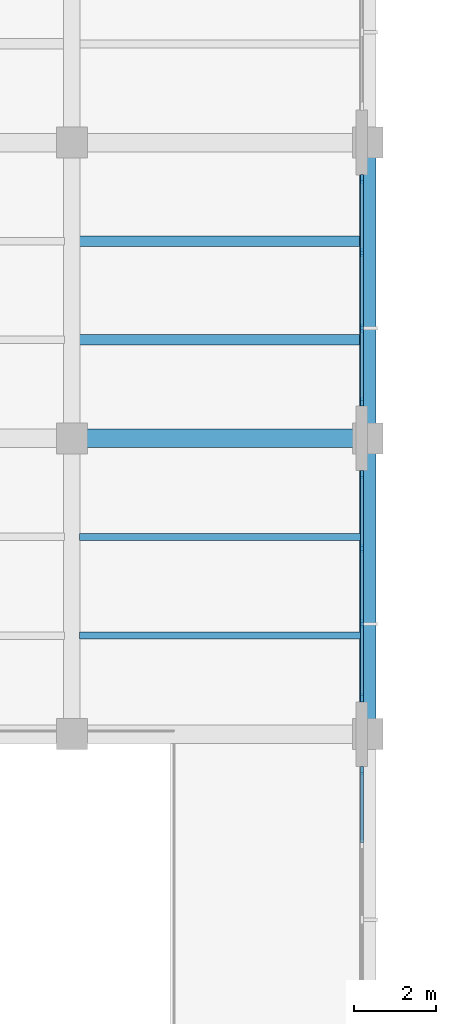
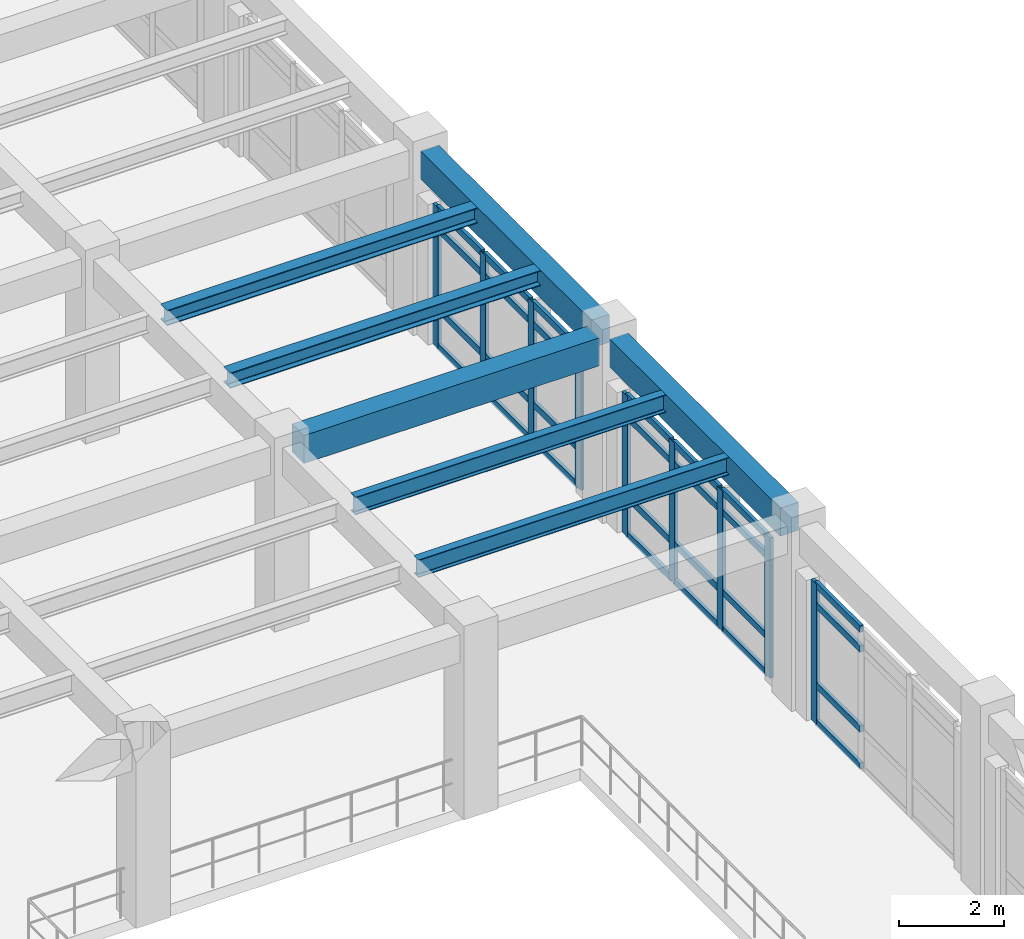
# One storey, part 11 of 64: 37 members, 7 beams, 3 elements without a shape of their own.
"""IFC4 building model written with IfcOpenShell, lengths in metres."""

from ifc_helpers import new_model, si_unit, direction, frame, origin, origin_2d, place, context, subcontext, project, spatial, rectangle, i_section, extrude, material, layer, layer_set, material_profile, profile_set, type_object, element, aggregate, save


model = new_model("IFC4")

# Units and contexts
model_context = context("Model", 3, precision=1e-05, world=origin(), true_north=direction((0.0, 1.0)))
body_context = subcontext(model_context, "Body", "Model", "MODEL_VIEW")
ifc_project = project(units=[si_unit("LENGTHUNIT", "METRE"), si_unit("AREAUNIT", "SQUARE_METRE"), si_unit("VOLUMEUNIT", "CUBIC_METRE"), si_unit("PLANEANGLEUNIT", "RADIAN"), si_unit("MASSUNIT", "GRAM", prefix="KILO")], contexts=[model_context])

# Site, building, storey
site_placement = place(None, origin())
site = spatial("IfcSite", under=ifc_project, at=site_placement, CompositionType="ELEMENT")
building_placement = place(site_placement, origin())
building = spatial("IfcBuilding", under=site, at=building_placement, Name="Solenvale Faculty of Natural Sciences", CompositionType="ELEMENT")
storey_placement = place(building_placement, frame((0.0, 0.0, 18.0)))
storey = spatial("IfcBuildingStorey", under=building, at=storey_placement, Name="L04", CompositionType="ELEMENT", Elevation=18.0)

# Beams
ifc_material_1 = material(Name="Concrete 40 MPa", Category="concrete")
ifc_material_profile_1 = material_profile(ifc_material_1, rectangle(XDim=0.39990234375, YDim=0.64990234375, at=origin_2d()), Name="RC-BM-400x650")
ifc_profile_set_1 = profile_set([ifc_material_profile_1], Name="Concrete 40 MPa")
beam_type_1 = type_object("IfcBeamType", Name="BM-RC-400x650", PredefinedType="BEAM", material=ifc_profile_set_1)
for number, where, z_axis, x_axis, name in (
    (1, (57.60009765625, 65.155029296875, 3.89501953125), (0.0, 1.0, 0.0), (-1.0, 0.0, 0.0), "L04 Y-Girder X57.6 (64.8..72.0)"),
    (2, (57.60009765625, 72.35498046875, 3.89501953125), (0.0, 1.0, 0.0), (-1.0, 0.0, 0.0), "L04 Y-Girder X57.6 (72.0..79.2)"),
):
    element("IfcBeam", number, at=place(storey_placement, frame(where, z_axis=z_axis, x_axis=x_axis)), inside=storey, type_object=beam_type_1, Name=name, PredefinedType="BEAM", context=body_context, shape_type="SweptSolid", body=[
        extrude(rectangle(XDim=0.39990234375, YDim=0.64990234375, at=origin_2d()), origin(), (0.0, 0.0, 1.0), 6.489990234375),
    ])
ifc_material_profile_2 = material_profile(ifc_material_1, rectangle(XDim=0.449951171875, YDim=0.64990234375, at=origin_2d()), Name="RC-BM-450x650")
ifc_profile_set_2 = profile_set([ifc_material_profile_2], Name="Concrete 40 MPa")
beam_type_2 = type_object("IfcBeamType", Name="BM-RC-450x650", PredefinedType="BEAM", material=ifc_profile_set_2)
beam_placement = place(storey_placement, frame((50.7548828125, 72.0, 3.89501953125), z_axis=(1.0, 0.0, 0.0), x_axis=(0.0, 1.0, 0.0)))
element("IfcBeam", 3, at=beam_placement, inside=storey, type_object=beam_type_2, Name="L04 X-Girder Y72.0 (50.4..57.6)", PredefinedType="BEAM", context=body_context, shape_type="SweptSolid", body=[
    extrude(rectangle(XDim=0.449951171875, YDim=0.64990234375, at=origin_2d()), origin(), (0.0, 0.0, 1.0), 6.490234375),
])
ifc_material_2 = material(Name="Steel S355", Category="steel")
ifc_material_profile_3 = material_profile(ifc_material_2, i_section(OverallWidth=0.2548828125, OverallDepth=0.35693359375, WebThickness=0.010498046875, FlangeThickness=0.018310546875, FilletRadius=0.014892578125, at=origin_2d()), Name="W360x101")
ifc_profile_set_3 = profile_set([ifc_material_profile_3], Name="Steel S355")
beam_type_3 = type_object("IfcBeamType", Name="BM-STL-W360x101", PredefinedType="JOIST", material=ifc_profile_set_3)
for number, where, z_axis, x_axis, name in (
    (4, (50.580078125, 74.39990234375, 4.04150390625), (1.0, 0.0, 0.0), (0.0, 1.0, 0.0), "L04 Composite Floor Joist (8,11).1"),
    (5, (50.580078125, 76.800048828125, 4.04150390625), (1.0, 0.0, 0.0), (0.0, 1.0, 0.0), "L04 Composite Floor Joist (8,11).2"),
):
    element("IfcBeam", number, at=place(storey_placement, frame(where, z_axis=z_axis, x_axis=x_axis)), inside=storey, type_object=beam_type_3, Name=name, PredefinedType="JOIST", context=body_context, shape_type="SweptSolid", body=[
        extrude(i_section(OverallWidth=0.2548828125, OverallDepth=0.35693359375, WebThickness=0.010498046875, FlangeThickness=0.018310546875, FilletRadius=0.014892578125, at=origin_2d()), origin(), (0.0, 0.0, 1.0), 6.83984375),
    ])
ifc_material_profile_4 = material_profile(ifc_material_2, i_section(OverallWidth=0.178955078125, OverallDepth=0.409912109375, WebThickness=0.0087890625, FlangeThickness=0.014404296875, FilletRadius=0.01611328125, at=origin_2d()), Name="W410x67")
ifc_profile_set_4 = profile_set([ifc_material_profile_4], Name="Steel S355")
beam_type_4 = type_object("IfcBeamType", Name="BM-STL-W410x67", PredefinedType="JOIST", material=ifc_profile_set_4)
for number, where, z_axis, x_axis, name in (
    (6, (50.580078125, 67.199951171875, 4.014892578125), (1.0, 0.0, 0.0), (0.0, 1.0, 0.0), "L04 Composite Floor Joist (8,10).1"),
    (7, (50.580078125, 69.60009765625, 4.014892578125), (1.0, 0.0, 0.0), (0.0, 1.0, 0.0), "L04 Composite Floor Joist (8,10).2"),
):
    element("IfcBeam", number, at=place(storey_placement, frame(where, z_axis=z_axis, x_axis=x_axis)), inside=storey, type_object=beam_type_4, Name=name, PredefinedType="JOIST", context=body_context, shape_type="SweptSolid", body=[
        extrude(i_section(OverallWidth=0.178955078125, OverallDepth=0.409912109375, WebThickness=0.0087890625, FlangeThickness=0.014404296875, FilletRadius=0.01611328125, at=origin_2d()), origin(), (0.0, 0.0, 1.0), 6.83984375),
    ])

# Curtain wall, member
ifc_material_3 = material(Name="Anodised bronze aluminium", Category="aluminium")
ifc_layer = layer(ifc_material_3, 0.215087890625)
ifc_layer_set = layer_set([ifc_layer], Name="Anodised bronze aluminium")
curtain_wall_type = type_object("IfcCurtainWallType", Name="CW-ATR-UNIT", PredefinedType="USERDEFINED", material=ifc_layer_set)
curtain_wall_1_placement = place(storey_placement, origin())
curtain_wall_1 = element("IfcCurtainWall", 8, at=curtain_wall_1_placement, inside=storey, type_object=curtain_wall_type, Name="L04 Curtain Wall CW-L04-P1-E1-B4", ObjectType="UNITISED CURTAIN WALL", PredefinedType="USERDEFINED")
ifc_material_profile_5 = material_profile(ifc_material_3, rectangle(XDim=0.074951171875, YDim=0.2099609375, at=origin_2d()), Name="ALU-MUL-75x210")
ifc_profile_set_5 = profile_set([ifc_material_profile_5], Name="Anodised bronze aluminium")
member_type_1 = type_object("IfcMemberType", Name="CWM-ALU-75x210", PredefinedType="MULLION", material=ifc_profile_set_5)
member_1_placement = place(storey_placement, frame((57.45751953125, 63.91259765625, 0.0), z_axis=(0.0, 0.0, 1.0), x_axis=(-1.0, 0.0, 0.0)))
member_1 = element("IfcMember", 9, at=member_1_placement, type_object=member_type_1, Name="CW-01 mullion 4", PredefinedType="MULLION", context=body_context, shape_type="SweptSolid", body=[
    extrude(rectangle(XDim=0.074951171875, YDim=0.2099609375, at=origin_2d()), origin(), (0.0, 0.0, 1.0), 3.260009765625),
])

# Curtain wall, members
curtain_wall_2_placement = place(storey_placement, origin())
curtain_wall_2 = element("IfcCurtainWall", 10, at=curtain_wall_2_placement, inside=storey, type_object=curtain_wall_type, Name="L04 Curtain Wall CW-L04-P1-E1-B5", ObjectType="UNITISED CURTAIN WALL", PredefinedType="USERDEFINED")
member_2_placement = place(storey_placement, frame((57.45751953125, 65.6875, 0.0), z_axis=(0.0, 0.0, 1.0), x_axis=(-1.0, 0.0, 0.0)))
member_2 = element("IfcMember", 11, at=member_2_placement, type_object=member_type_1, Name="CW-01 mullion 1", PredefinedType="MULLION", context=body_context, shape_type="SweptSolid", body=[
    extrude(rectangle(XDim=0.074951171875, YDim=0.2099609375, at=origin_2d()), origin(), (0.0, 0.0, 1.0), 3.260009765625),
])
member_3_placement = place(storey_placement, frame((57.45751953125, 67.4833984375, 0.0), z_axis=(0.0, 0.0, 1.0), x_axis=(-1.0, 0.0, 0.0)))
member_3 = element("IfcMember", 12, at=member_3_placement, type_object=member_type_1, Name="CW-01 mullion 2", PredefinedType="MULLION", context=body_context, shape_type="SweptSolid", body=[
    extrude(rectangle(XDim=0.074951171875, YDim=0.2099609375, at=origin_2d()), origin(), (0.0, 0.0, 1.0), 3.260009765625),
])
member_4_placement = place(storey_placement, frame((57.45751953125, 69.316650390625, 0.0), z_axis=(0.0, 0.0, 1.0), x_axis=(-1.0, 0.0, 0.0)))
member_4 = element("IfcMember", 13, at=member_4_placement, type_object=member_type_1, Name="CW-01 mullion 3", PredefinedType="MULLION", context=body_context, shape_type="SweptSolid", body=[
    extrude(rectangle(XDim=0.074951171875, YDim=0.2099609375, at=origin_2d()), origin(), (0.0, 0.0, 1.0), 3.260009765625),
])
member_5_placement = place(storey_placement, frame((57.45751953125, 71.112548828125, 0.0), z_axis=(0.0, 0.0, 1.0), x_axis=(-1.0, 0.0, 0.0)))
member_5 = element("IfcMember", 14, at=member_5_placement, type_object=member_type_1, Name="CW-01 mullion 4", PredefinedType="MULLION", context=body_context, shape_type="SweptSolid", body=[
    extrude(rectangle(XDim=0.074951171875, YDim=0.2099609375, at=origin_2d()), origin(), (0.0, 0.0, 1.0), 3.260009765625),
])

curtain_wall_3_placement = place(storey_placement, origin())
curtain_wall_3 = element("IfcCurtainWall", 15, at=curtain_wall_3_placement, inside=storey, type_object=curtain_wall_type, Name="L04 Curtain Wall CW-L04-P1-E1-B6", ObjectType="UNITISED CURTAIN WALL", PredefinedType="USERDEFINED")
member_6_placement = place(storey_placement, frame((57.45751953125, 72.887451171875, 0.0), z_axis=(0.0, 0.0, 1.0), x_axis=(-1.0, 0.0, 0.0)))
member_6 = element("IfcMember", 16, at=member_6_placement, type_object=member_type_1, Name="CW-01 mullion 1", PredefinedType="MULLION", context=body_context, shape_type="SweptSolid", body=[
    extrude(rectangle(XDim=0.074951171875, YDim=0.2099609375, at=origin_2d()), origin(), (0.0, 0.0, 1.0), 3.260009765625),
])
member_7_placement = place(storey_placement, frame((57.45751953125, 74.683349609375, 0.0), z_axis=(0.0, 0.0, 1.0), x_axis=(-1.0, 0.0, 0.0)))
member_7 = element("IfcMember", 17, at=member_7_placement, type_object=member_type_1, Name="CW-01 mullion 2", PredefinedType="MULLION", context=body_context, shape_type="SweptSolid", body=[
    extrude(rectangle(XDim=0.074951171875, YDim=0.2099609375, at=origin_2d()), origin(), (0.0, 0.0, 1.0), 3.260009765625),
])
member_8_placement = place(storey_placement, frame((57.45751953125, 76.5166015625, 0.0), z_axis=(0.0, 0.0, 1.0), x_axis=(-1.0, 0.0, 0.0)))
member_8 = element("IfcMember", 18, at=member_8_placement, type_object=member_type_1, Name="CW-01 mullion 3", PredefinedType="MULLION", context=body_context, shape_type="SweptSolid", body=[
    extrude(rectangle(XDim=0.074951171875, YDim=0.2099609375, at=origin_2d()), origin(), (0.0, 0.0, 1.0), 3.260009765625),
])
member_9_placement = place(storey_placement, frame((57.45751953125, 78.3125, 0.0), z_axis=(0.0, 0.0, 1.0), x_axis=(-1.0, 0.0, 0.0)))
member_9 = element("IfcMember", 19, at=member_9_placement, type_object=member_type_1, Name="CW-01 mullion 4", PredefinedType="MULLION", context=body_context, shape_type="SweptSolid", body=[
    extrude(rectangle(XDim=0.074951171875, YDim=0.2099609375, at=origin_2d()), origin(), (0.0, 0.0, 1.0), 3.260009765625),
])

# Member
ifc_material_profile_6 = material_profile(ifc_material_3, rectangle(XDim=0.074951171875, YDim=0.155029296875, at=origin_2d()), Name="ALU-TRN-75x155")
ifc_profile_set_6 = profile_set([ifc_material_profile_6], Name="Anodised bronze aluminium")
member_type_2 = type_object("IfcMemberType", Name="CWT-ALU-75x155", PredefinedType="USERDEFINED", material=ifc_profile_set_6)
member_10_placement = place(storey_placement, frame((57.45751953125, 62.154052734375, 0.03759765625), z_axis=(0.0, 1.0, 0.0), x_axis=(-1.0, 0.0, 0.0)))
member_10 = element("IfcMember", 20, at=member_10_placement, type_object=member_type_2, Name="CW-01 transom 3.1", ObjectType="TRANSOM", PredefinedType="USERDEFINED", context=body_context, shape_type="SweptSolid", body=[
    extrude(rectangle(XDim=0.074951171875, YDim=0.155029296875, at=origin_2d()), origin(), (0.0, 0.0, 1.0), 1.720947265625),
])

member_11_placement = place(storey_placement, frame((57.45751953125, 62.154052734375, 0.89990234375), z_axis=(0.0, 1.0, 0.0), x_axis=(-1.0, 0.0, 0.0)))
member_11 = element("IfcMember", 21, at=member_11_placement, type_object=member_type_2, Name="CW-01 transom 3.2", ObjectType="TRANSOM", PredefinedType="USERDEFINED", context=body_context, shape_type="SweptSolid", body=[
    extrude(rectangle(XDim=0.074951171875, YDim=0.155029296875, at=origin_2d()), origin(), (0.0, 0.0, 1.0), 1.720947265625),
])

member_12_placement = place(storey_placement, frame((57.45751953125, 62.154052734375, 2.760009765625), z_axis=(0.0, 1.0, 0.0), x_axis=(-1.0, 0.0, 0.0)))
member_12 = element("IfcMember", 22, at=member_12_placement, type_object=member_type_2, Name="CW-01 transom 3.3", ObjectType="TRANSOM", PredefinedType="USERDEFINED", context=body_context, shape_type="SweptSolid", body=[
    extrude(rectangle(XDim=0.074951171875, YDim=0.155029296875, at=origin_2d()), origin(), (0.0, 0.0, 1.0), 1.720947265625),
])

member_13_placement = place(storey_placement, frame((57.45751953125, 62.154052734375, 3.222412109375), z_axis=(0.0, 1.0, 0.0), x_axis=(-1.0, 0.0, 0.0)))
member_13 = element("IfcMember", 23, at=member_13_placement, type_object=member_type_2, Name="CW-01 transom 3.4", ObjectType="TRANSOM", PredefinedType="USERDEFINED", context=body_context, shape_type="SweptSolid", body=[
    extrude(rectangle(XDim=0.074951171875, YDim=0.155029296875, at=origin_2d()), origin(), (0.0, 0.0, 1.0), 1.720947265625),
])

aggregate(curtain_wall_1, [member_1, member_10, member_11, member_12, member_13])

member_14_placement = place(storey_placement, frame((57.45751953125, 65.72509765625, 0.03759765625), z_axis=(0.0, 1.0, 0.0), x_axis=(-1.0, 0.0, 0.0)))
member_14 = element("IfcMember", 24, at=member_14_placement, type_object=member_type_2, Name="CW-01 transom 1.1", ObjectType="TRANSOM", PredefinedType="USERDEFINED", context=body_context, shape_type="SweptSolid", body=[
    extrude(rectangle(XDim=0.074951171875, YDim=0.155029296875, at=origin_2d()), origin(), (0.0, 0.0, 1.0), 1.720703125),
])

member_15_placement = place(storey_placement, frame((57.45751953125, 65.72509765625, 0.89990234375), z_axis=(0.0, 1.0, 0.0), x_axis=(-1.0, 0.0, 0.0)))
member_15 = element("IfcMember", 25, at=member_15_placement, type_object=member_type_2, Name="CW-01 transom 1.2", ObjectType="TRANSOM", PredefinedType="USERDEFINED", context=body_context, shape_type="SweptSolid", body=[
    extrude(rectangle(XDim=0.074951171875, YDim=0.155029296875, at=origin_2d()), origin(), (0.0, 0.0, 1.0), 1.720703125),
])

member_16_placement = place(storey_placement, frame((57.45751953125, 65.72509765625, 2.760009765625), z_axis=(0.0, 1.0, 0.0), x_axis=(-1.0, 0.0, 0.0)))
member_16 = element("IfcMember", 26, at=member_16_placement, type_object=member_type_2, Name="CW-01 transom 1.3", ObjectType="TRANSOM", PredefinedType="USERDEFINED", context=body_context, shape_type="SweptSolid", body=[
    extrude(rectangle(XDim=0.074951171875, YDim=0.155029296875, at=origin_2d()), origin(), (0.0, 0.0, 1.0), 1.720703125),
])

member_17_placement = place(storey_placement, frame((57.45751953125, 65.72509765625, 3.222412109375), z_axis=(0.0, 1.0, 0.0), x_axis=(-1.0, 0.0, 0.0)))
member_17 = element("IfcMember", 27, at=member_17_placement, type_object=member_type_2, Name="CW-01 transom 1.4", ObjectType="TRANSOM", PredefinedType="USERDEFINED", context=body_context, shape_type="SweptSolid", body=[
    extrude(rectangle(XDim=0.074951171875, YDim=0.155029296875, at=origin_2d()), origin(), (0.0, 0.0, 1.0), 1.720703125),
])

member_18_placement = place(storey_placement, frame((57.45751953125, 67.520751953125, 0.03759765625), z_axis=(0.0, 1.0, 0.0), x_axis=(-1.0, 0.0, 0.0)))
member_18 = element("IfcMember", 28, at=member_18_placement, type_object=member_type_2, Name="CW-01 transom 2.1", ObjectType="TRANSOM", PredefinedType="USERDEFINED", context=body_context, shape_type="SweptSolid", body=[
    extrude(rectangle(XDim=0.074951171875, YDim=0.155029296875, at=origin_2d()), origin(), (0.0, 0.0, 1.0), 1.75830078125),
])

member_19_placement = place(storey_placement, frame((57.45751953125, 67.520751953125, 0.89990234375), z_axis=(0.0, 1.0, 0.0), x_axis=(-1.0, 0.0, 0.0)))
member_19 = element("IfcMember", 29, at=member_19_placement, type_object=member_type_2, Name="CW-01 transom 2.2", ObjectType="TRANSOM", PredefinedType="USERDEFINED", context=body_context, shape_type="SweptSolid", body=[
    extrude(rectangle(XDim=0.074951171875, YDim=0.155029296875, at=origin_2d()), origin(), (0.0, 0.0, 1.0), 1.75830078125),
])

member_20_placement = place(storey_placement, frame((57.45751953125, 67.520751953125, 2.760009765625), z_axis=(0.0, 1.0, 0.0), x_axis=(-1.0, 0.0, 0.0)))
member_20 = element("IfcMember", 30, at=member_20_placement, type_object=member_type_2, Name="CW-01 transom 2.3", ObjectType="TRANSOM", PredefinedType="USERDEFINED", context=body_context, shape_type="SweptSolid", body=[
    extrude(rectangle(XDim=0.074951171875, YDim=0.155029296875, at=origin_2d()), origin(), (0.0, 0.0, 1.0), 1.75830078125),
])

member_21_placement = place(storey_placement, frame((57.45751953125, 67.520751953125, 3.222412109375), z_axis=(0.0, 1.0, 0.0), x_axis=(-1.0, 0.0, 0.0)))
member_21 = element("IfcMember", 31, at=member_21_placement, type_object=member_type_2, Name="CW-01 transom 2.4", ObjectType="TRANSOM", PredefinedType="USERDEFINED", context=body_context, shape_type="SweptSolid", body=[
    extrude(rectangle(XDim=0.074951171875, YDim=0.155029296875, at=origin_2d()), origin(), (0.0, 0.0, 1.0), 1.75830078125),
])

member_22_placement = place(storey_placement, frame((57.45751953125, 69.354248046875, 0.03759765625), z_axis=(0.0, 1.0, 0.0), x_axis=(-1.0, 0.0, 0.0)))
member_22 = element("IfcMember", 32, at=member_22_placement, type_object=member_type_2, Name="CW-01 transom 3.1", ObjectType="TRANSOM", PredefinedType="USERDEFINED", context=body_context, shape_type="SweptSolid", body=[
    extrude(rectangle(XDim=0.074951171875, YDim=0.155029296875, at=origin_2d()), origin(), (0.0, 0.0, 1.0), 1.720703125),
])

member_23_placement = place(storey_placement, frame((57.45751953125, 69.354248046875, 0.89990234375), z_axis=(0.0, 1.0, 0.0), x_axis=(-1.0, 0.0, 0.0)))
member_23 = element("IfcMember", 33, at=member_23_placement, type_object=member_type_2, Name="CW-01 transom 3.2", ObjectType="TRANSOM", PredefinedType="USERDEFINED", context=body_context, shape_type="SweptSolid", body=[
    extrude(rectangle(XDim=0.074951171875, YDim=0.155029296875, at=origin_2d()), origin(), (0.0, 0.0, 1.0), 1.720703125),
])

member_24_placement = place(storey_placement, frame((57.45751953125, 69.354248046875, 2.760009765625), z_axis=(0.0, 1.0, 0.0), x_axis=(-1.0, 0.0, 0.0)))
member_24 = element("IfcMember", 34, at=member_24_placement, type_object=member_type_2, Name="CW-01 transom 3.3", ObjectType="TRANSOM", PredefinedType="USERDEFINED", context=body_context, shape_type="SweptSolid", body=[
    extrude(rectangle(XDim=0.074951171875, YDim=0.155029296875, at=origin_2d()), origin(), (0.0, 0.0, 1.0), 1.720703125),
])

member_25_placement = place(storey_placement, frame((57.45751953125, 69.354248046875, 3.222412109375), z_axis=(0.0, 1.0, 0.0), x_axis=(-1.0, 0.0, 0.0)))
member_25 = element("IfcMember", 35, at=member_25_placement, type_object=member_type_2, Name="CW-01 transom 3.4", ObjectType="TRANSOM", PredefinedType="USERDEFINED", context=body_context, shape_type="SweptSolid", body=[
    extrude(rectangle(XDim=0.074951171875, YDim=0.155029296875, at=origin_2d()), origin(), (0.0, 0.0, 1.0), 1.720703125),
])

aggregate(curtain_wall_2, [member_2, member_3, member_4, member_5, member_14, member_15, member_16, member_17, member_18, member_19, member_20, member_21, member_22, member_23, member_24, member_25])

member_26_placement = place(storey_placement, frame((57.45751953125, 72.925048828125, 0.03759765625), z_axis=(0.0, 1.0, 0.0), x_axis=(-1.0, 0.0, 0.0)))
member_26 = element("IfcMember", 36, at=member_26_placement, type_object=member_type_2, Name="CW-01 transom 1.1", ObjectType="TRANSOM", PredefinedType="USERDEFINED", context=body_context, shape_type="SweptSolid", body=[
    extrude(rectangle(XDim=0.074951171875, YDim=0.155029296875, at=origin_2d()), origin(), (0.0, 0.0, 1.0), 1.720703125),
])

member_27_placement = place(storey_placement, frame((57.45751953125, 72.925048828125, 0.89990234375), z_axis=(0.0, 1.0, 0.0), x_axis=(-1.0, 0.0, 0.0)))
member_27 = element("IfcMember", 37, at=member_27_placement, type_object=member_type_2, Name="CW-01 transom 1.2", ObjectType="TRANSOM", PredefinedType="USERDEFINED", context=body_context, shape_type="SweptSolid", body=[
    extrude(rectangle(XDim=0.074951171875, YDim=0.155029296875, at=origin_2d()), origin(), (0.0, 0.0, 1.0), 1.720703125),
])

member_28_placement = place(storey_placement, frame((57.45751953125, 72.925048828125, 2.760009765625), z_axis=(0.0, 1.0, 0.0), x_axis=(-1.0, 0.0, 0.0)))
member_28 = element("IfcMember", 38, at=member_28_placement, type_object=member_type_2, Name="CW-01 transom 1.3", ObjectType="TRANSOM", PredefinedType="USERDEFINED", context=body_context, shape_type="SweptSolid", body=[
    extrude(rectangle(XDim=0.074951171875, YDim=0.155029296875, at=origin_2d()), origin(), (0.0, 0.0, 1.0), 1.720703125),
])

member_29_placement = place(storey_placement, frame((57.45751953125, 72.925048828125, 3.222412109375), z_axis=(0.0, 1.0, 0.0), x_axis=(-1.0, 0.0, 0.0)))
member_29 = element("IfcMember", 39, at=member_29_placement, type_object=member_type_2, Name="CW-01 transom 1.4", ObjectType="TRANSOM", PredefinedType="USERDEFINED", context=body_context, shape_type="SweptSolid", body=[
    extrude(rectangle(XDim=0.074951171875, YDim=0.155029296875, at=origin_2d()), origin(), (0.0, 0.0, 1.0), 1.720703125),
])

member_30_placement = place(storey_placement, frame((57.45751953125, 74.720947265625, 0.03759765625), z_axis=(0.0, 1.0, 0.0), x_axis=(-1.0, 0.0, 0.0)))
member_30 = element("IfcMember", 40, at=member_30_placement, type_object=member_type_2, Name="CW-01 transom 2.1", ObjectType="TRANSOM", PredefinedType="USERDEFINED", context=body_context, shape_type="SweptSolid", body=[
    extrude(rectangle(XDim=0.074951171875, YDim=0.155029296875, at=origin_2d()), origin(), (0.0, 0.0, 1.0), 1.75830078125),
])

member_31_placement = place(storey_placement, frame((57.45751953125, 74.720947265625, 0.89990234375), z_axis=(0.0, 1.0, 0.0), x_axis=(-1.0, 0.0, 0.0)))
member_31 = element("IfcMember", 41, at=member_31_placement, type_object=member_type_2, Name="CW-01 transom 2.2", ObjectType="TRANSOM", PredefinedType="USERDEFINED", context=body_context, shape_type="SweptSolid", body=[
    extrude(rectangle(XDim=0.074951171875, YDim=0.155029296875, at=origin_2d()), origin(), (0.0, 0.0, 1.0), 1.75830078125),
])

member_32_placement = place(storey_placement, frame((57.45751953125, 74.720947265625, 2.760009765625), z_axis=(0.0, 1.0, 0.0), x_axis=(-1.0, 0.0, 0.0)))
member_32 = element("IfcMember", 42, at=member_32_placement, type_object=member_type_2, Name="CW-01 transom 2.3", ObjectType="TRANSOM", PredefinedType="USERDEFINED", context=body_context, shape_type="SweptSolid", body=[
    extrude(rectangle(XDim=0.074951171875, YDim=0.155029296875, at=origin_2d()), origin(), (0.0, 0.0, 1.0), 1.75830078125),
])

member_33_placement = place(storey_placement, frame((57.45751953125, 74.720947265625, 3.222412109375), z_axis=(0.0, 1.0, 0.0), x_axis=(-1.0, 0.0, 0.0)))
member_33 = element("IfcMember", 43, at=member_33_placement, type_object=member_type_2, Name="CW-01 transom 2.4", ObjectType="TRANSOM", PredefinedType="USERDEFINED", context=body_context, shape_type="SweptSolid", body=[
    extrude(rectangle(XDim=0.074951171875, YDim=0.155029296875, at=origin_2d()), origin(), (0.0, 0.0, 1.0), 1.75830078125),
])

member_34_placement = place(storey_placement, frame((57.45751953125, 76.55419921875, 0.03759765625), z_axis=(0.0, 1.0, 0.0), x_axis=(-1.0, 0.0, 0.0)))
member_34 = element("IfcMember", 44, at=member_34_placement, type_object=member_type_2, Name="CW-01 transom 3.1", ObjectType="TRANSOM", PredefinedType="USERDEFINED", context=body_context, shape_type="SweptSolid", body=[
    extrude(rectangle(XDim=0.074951171875, YDim=0.155029296875, at=origin_2d()), origin(), (0.0, 0.0, 1.0), 1.720703125),
])

member_35_placement = place(storey_placement, frame((57.45751953125, 76.55419921875, 0.89990234375), z_axis=(0.0, 1.0, 0.0), x_axis=(-1.0, 0.0, 0.0)))
member_35 = element("IfcMember", 45, at=member_35_placement, type_object=member_type_2, Name="CW-01 transom 3.2", ObjectType="TRANSOM", PredefinedType="USERDEFINED", context=body_context, shape_type="SweptSolid", body=[
    extrude(rectangle(XDim=0.074951171875, YDim=0.155029296875, at=origin_2d()), origin(), (0.0, 0.0, 1.0), 1.720703125),
])

member_36_placement = place(storey_placement, frame((57.45751953125, 76.55419921875, 2.760009765625), z_axis=(0.0, 1.0, 0.0), x_axis=(-1.0, 0.0, 0.0)))
member_36 = element("IfcMember", 46, at=member_36_placement, type_object=member_type_2, Name="CW-01 transom 3.3", ObjectType="TRANSOM", PredefinedType="USERDEFINED", context=body_context, shape_type="SweptSolid", body=[
    extrude(rectangle(XDim=0.074951171875, YDim=0.155029296875, at=origin_2d()), origin(), (0.0, 0.0, 1.0), 1.720703125),
])

member_37_placement = place(storey_placement, frame((57.45751953125, 76.55419921875, 3.222412109375), z_axis=(0.0, 1.0, 0.0), x_axis=(-1.0, 0.0, 0.0)))
member_37 = element("IfcMember", 47, at=member_37_placement, type_object=member_type_2, Name="CW-01 transom 3.4", ObjectType="TRANSOM", PredefinedType="USERDEFINED", context=body_context, shape_type="SweptSolid", body=[
    extrude(rectangle(XDim=0.074951171875, YDim=0.155029296875, at=origin_2d()), origin(), (0.0, 0.0, 1.0), 1.720703125),
])

aggregate(curtain_wall_3, [member_6, member_7, member_8, member_9, member_26, member_27, member_28, member_29, member_30, member_31, member_32, member_33, member_34, member_35, member_36, member_37])

save(model, "model.ifc")
